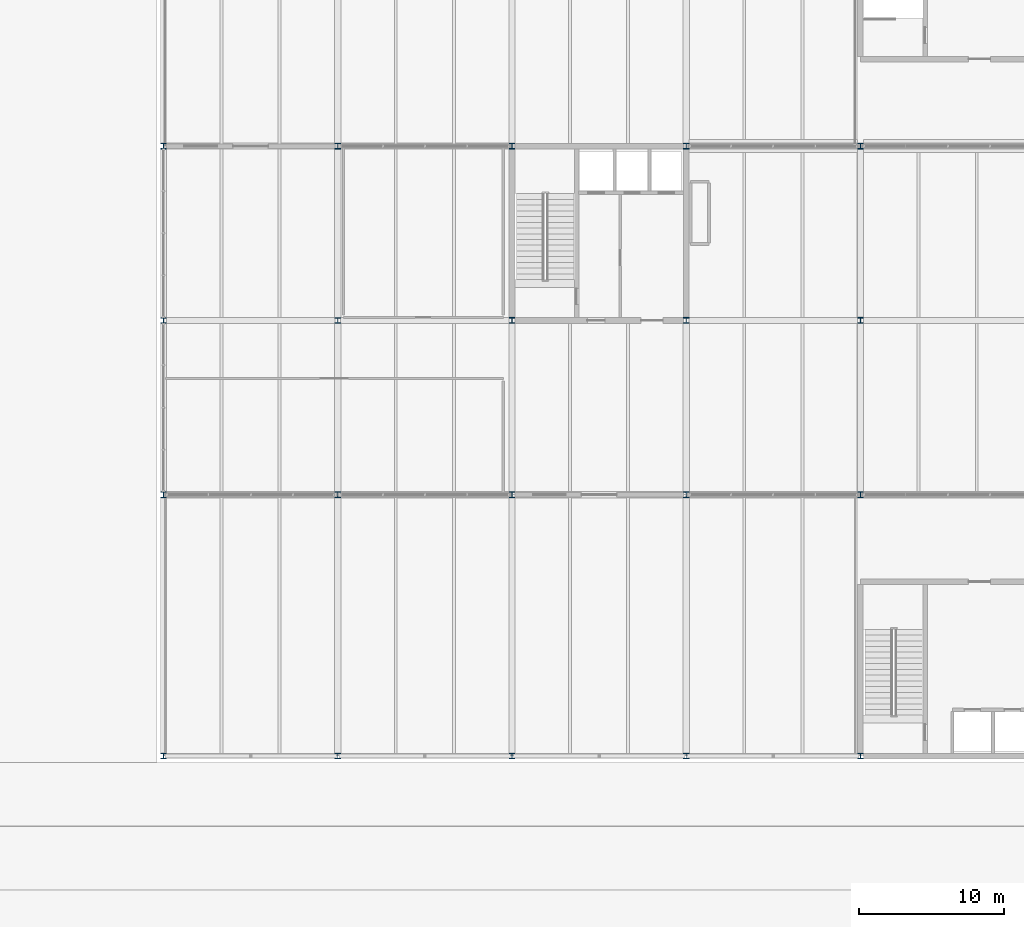
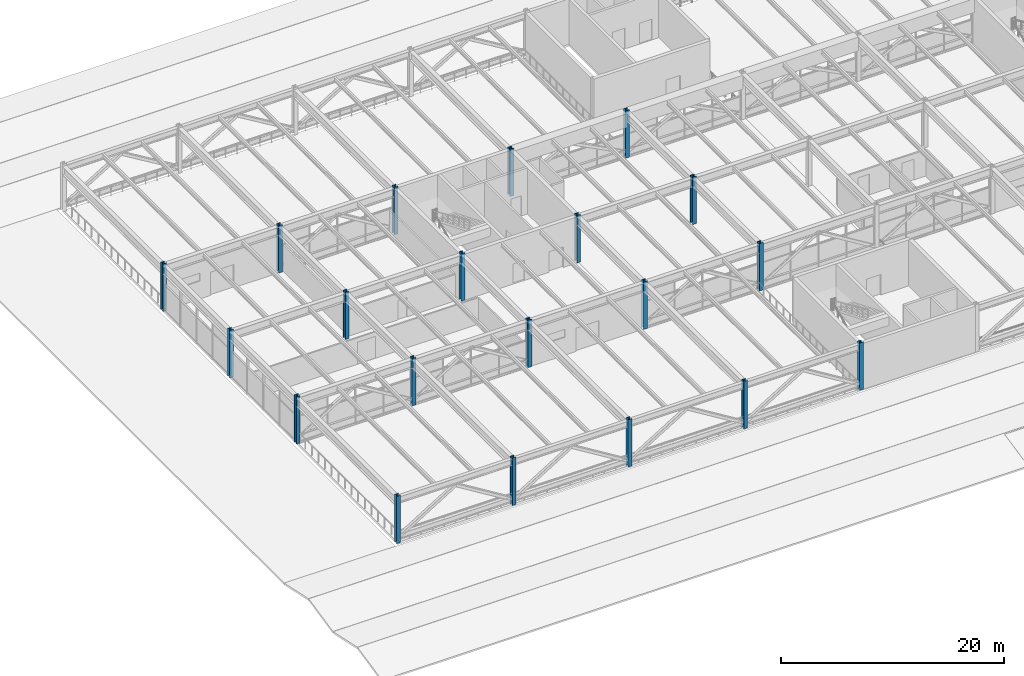
# One storey, part 1 of 42: 20 columns.
"""IFC4 building model written with IfcOpenShell, lengths in metres."""

import ifcopenshell
import ifcopenshell.guid

model = None  # the IFC model being written
_history = None  # IfcOwnerHistory: only IFC2X3 demands one
_inside = {}  # id of a spatial element -> (the spatial element, [elements in it])
_under = {}  # id of a project, library or spatial element -> (it, [spatial elements below it])
_declared = {}  # id of a project -> (the project, [libraries it declares])
_typed = {}  # id of a type object -> (the type object, [elements of that type])
_made_of = {}  # id of a material, layer set ... -> (it, [elements and type objects made of it])


def new_model(schema):
    """Start an empty IFC model of exactly this schema.

    Asked for "IFC4X3", IfcOpenShell would pick the latest addendum, in which some entities
    have other attributes; the version numbers below select the first issue.
    IFC2X3 requires an IfcOwnerHistory on every rooted entity: one is made here for all.
    """
    global model, _history
    if schema == "IFC4X3":
        model = ifcopenshell.file(schema_version=(4, 3, 0, 0))
    else:
        model = ifcopenshell.file(schema=schema)
    _inside.clear()
    _under.clear()
    _declared.clear()
    _typed.clear()
    _made_of.clear()
    _history = None
    if model.schema == "IFC2X3":
        org = make("IfcOrganization", Name="unknown")
        user = make(
            "IfcPersonAndOrganization",
            ThePerson=make("IfcPerson", FamilyName="unknown"),
            TheOrganization=org,
        )
        app = make(
            "IfcApplication",
            ApplicationDeveloper=org,
            Version="unknown",
            ApplicationFullName="unknown",
            ApplicationIdentifier="unknown",
        )
        _history = make(
            "IfcOwnerHistory",
            OwningUser=user,
            OwningApplication=app,
            ChangeAction="ADDED",
            CreationDate=0,
        )
    return model


def make(cls, **values):
    """One entity of the class cls with the attributes given. An attribute that is None is left unset."""
    return model.create_entity(
        cls, **{name: value for name, value in values.items() if value is not None}
    )


def rooted(cls, **values):
    """An entity with a GlobalId (a new one), such as an element, a storey or a relation."""
    return make(cls, GlobalId=ifcopenshell.guid.new(), OwnerHistory=_history, **values)


def si_unit(unit_type, name, prefix=None):
    """IfcSIUnit, for example si_unit("LENGTHUNIT", "METRE", prefix="MILLI")."""
    return make("IfcSIUnit", UnitType=unit_type, Prefix=prefix, Name=name)


def assignment(units):
    """IfcUnitAssignment: the units of a project."""
    return None if units is None else make("IfcUnitAssignment", Units=units)


def point(xyz):
    """IfcCartesianPoint."""
    return None if xyz is None else make("IfcCartesianPoint", Coordinates=xyz)


def direction(xyz):
    """IfcDirection."""
    return None if xyz is None else make("IfcDirection", DirectionRatios=xyz)


def frame(location, z_axis=None, x_axis=None):
    """IfcAxis2Placement3D, a coordinate frame: its origin and axes. An axis left out is left unset."""
    return make(
        "IfcAxis2Placement3D",
        Location=point(location),
        Axis=direction(z_axis),
        RefDirection=direction(x_axis),
    )


def frame_2d(location, x_axis=None):
    """IfcAxis2Placement2D, a coordinate frame in the plane: its origin and x axis."""
    return make(
        "IfcAxis2Placement2D", Location=point(location), RefDirection=direction(x_axis)
    )


def origin():
    """The frame at (0, 0, 0) with its axes left unset."""
    return frame((0.0, 0.0, 0.0))


def origin_2d():
    """The frame at (0, 0) in the plane with its x axis left unset."""
    return frame_2d((0.0, 0.0))


def place(relative_to, where):
    """IfcLocalPlacement: puts the frame where relative to a parent placement (None: the world)."""
    return make(
        "IfcLocalPlacement", PlacementRelTo=relative_to, RelativePlacement=where
    )


def context(
    kind, dimensions, precision=None, world=None, true_north=None, identifier=None
):
    """IfcGeometricRepresentationContext, for example the 3D "Model" context."""
    return make(
        "IfcGeometricRepresentationContext",
        ContextIdentifier=identifier,
        ContextType=kind,
        CoordinateSpaceDimension=dimensions,
        Precision=precision,
        WorldCoordinateSystem=world,
        TrueNorth=true_north,
    )


def subcontext(parent, identifier, kind, view, scale=None):
    """IfcGeometricRepresentationSubContext, for example "Body" below "Model"."""
    return make(
        "IfcGeometricRepresentationSubContext",
        ContextIdentifier=identifier,
        ContextType=kind,
        ParentContext=parent,
        TargetScale=scale,
        TargetView=view,
    )


def project(units=None, contexts=None):
    """IfcProject with its units and contexts."""
    return rooted(
        "IfcProject",
        Name="project",
        RepresentationContexts=contexts,
        UnitsInContext=assignment(units),
    )


def spatial(cls, under=None, at=None, **own):
    """A site, building, storey or space (cls), placed at a placement, below another one or the project."""
    s = rooted(cls, ObjectPlacement=at, **own)
    if under is not None:
        _under.setdefault(under.id(), (under, []))[1].append(s)
    return s


def profile(cls, at=None, kind="AREA", **sizes):
    """A parametric profile (cls). Its sizes go by their IFC names, for example OverallWidth=200.0."""
    return make(cls, ProfileType=kind, Position=at, **sizes)


def i_section(**sizes):
    """IfcIShapeProfileDef."""
    return profile("IfcIShapeProfileDef", **sizes)


def extrude(swept, where, along, depth):
    """IfcExtrudedAreaSolid: the profile swept, set in the frame where, extruded along a direction by depth."""
    return make(
        "IfcExtrudedAreaSolid",
        SweptArea=swept,
        Position=where,
        ExtrudedDirection=direction(along),
        Depth=depth,
    )


def shape(context_of_items, identifier, shape_type, items):
    """IfcShapeRepresentation: the items that make up one representation, for example the "Body"."""
    return make(
        "IfcShapeRepresentation",
        ContextOfItems=context_of_items,
        RepresentationIdentifier=identifier,
        RepresentationType=shape_type,
        Items=items,
    )


def material(Name=None, Category=None):
    """IfcMaterial."""
    return make("IfcMaterial", Name=Name, Category=Category)


def material_profile(
    of_material, cross_section, Name=None, Category=None, Priority=None
):
    """IfcMaterialProfile: a cross section and its material."""
    return make(
        "IfcMaterialProfile",
        Name=Name,
        Material=of_material,
        Profile=cross_section,
        Priority=Priority,
        Category=Category,
    )


def profile_set(profiles, Name=None, composite=None):
    """IfcMaterialProfileSet."""
    return make(
        "IfcMaterialProfileSet",
        Name=Name,
        MaterialProfiles=profiles,
        CompositeProfile=composite,
    )


def made_of(thing, what):
    """Note that an element or type object is made of a material, layer set ...; save() writes the relation."""
    if what is not None:
        _made_of.setdefault(what.id(), (what, []))[1].append(thing)
    return thing


def type_object(cls, material=None, **own):
    """A type object (cls), such as IfcWallType, which elements share."""
    return made_of(rooted(cls, **own), material)


def element(
    cls,
    number,
    at=None,
    inside=None,
    cuts=None,
    type_object=None,
    material=None,
    context=None,
    identifier="Body",
    shape_type=None,
    held_by="IfcProductDefinitionShape",
    body=None,
    shapes=None,
    **own,
):
    """One element of the class cls, such as IfcWall. Its Tag is "e" and its number.

    at: its placement. inside: the storey or other place that contains it. cuts: it is an
    opening in that element (IfcRelVoidsElement). A single representation is given by context,
    identifier, shape_type and body (its items); several are given by shapes. held_by: the class
    of the entity that holds the representations. save() writes the other relations.
    """
    e = rooted(cls, Tag="e%d" % number, ObjectPlacement=at, **own)
    if body is not None:
        shapes = [shape(context, identifier, shape_type, body)]
    if shapes is not None:
        e.Representation = make(held_by, Representations=shapes)
    if inside is not None:
        _inside.setdefault(inside.id(), (inside, []))[1].append(e)
    if cuts is not None:
        rooted(
            "IfcRelVoidsElement", RelatingBuildingElement=cuts, RelatedOpeningElement=e
        )
    if type_object is not None:
        _typed.setdefault(type_object.id(), (type_object, []))[1].append(e)
    return made_of(e, material)


def aggregate(whole, parts):
    """IfcRelAggregates: a whole, such as a stair, and the parts it consists of."""
    return rooted("IfcRelAggregates", RelatingObject=whole, RelatedObjects=parts)


def save(model, path):
    """Write the relations noted so far, then the file.

    IfcRelAggregates (storeys below a building ...), IfcRelContainedInSpatialStructure (elements
    in a storey), IfcRelDefinesByType, IfcRelAssociatesMaterial and IfcRelDeclares: one each for
    every whole, place, type object, material and project.
    """
    for whole, parts in _under.values():
        aggregate(whole, parts)
    for where, things in _inside.values():
        rooted(
            "IfcRelContainedInSpatialStructure",
            RelatedElements=things,
            RelatingStructure=where,
        )
    for kind, things in _typed.values():
        rooted("IfcRelDefinesByType", RelatedObjects=things, RelatingType=kind)
    for what, things in _made_of.values():
        rooted("IfcRelAssociatesMaterial", RelatedObjects=things, RelatingMaterial=what)
    for by, libraries in _declared.values():
        rooted("IfcRelDeclares", RelatingContext=by, RelatedDefinitions=libraries)
    model.write(path)


model = new_model("IFC4")

# Units and contexts
model_context = context("Model", 3, precision=1e-05, world=origin(), true_north=direction((0.0, 1.0)))
body_context = subcontext(model_context, "Body", "Model", "MODEL_VIEW")
ifc_project = project(units=[si_unit("LENGTHUNIT", "METRE"), si_unit("AREAUNIT", "SQUARE_METRE"), si_unit("VOLUMEUNIT", "CUBIC_METRE"), si_unit("PLANEANGLEUNIT", "RADIAN"), si_unit("MASSUNIT", "GRAM", prefix="KILO")], contexts=[model_context])

# Site, building, storey
site_placement = place(None, origin())
site = spatial("IfcSite", under=ifc_project, at=site_placement, CompositionType="ELEMENT")
building_placement = place(site_placement, origin())
building = spatial("IfcBuilding", under=site, at=building_placement, Name="Girod Span Mobility Hub", CompositionType="ELEMENT")
storey_placement = place(building_placement, frame((0.0, 0.0, 32.39990234375)))
storey = spatial("IfcBuildingStorey", under=building, at=storey_placement, Name="L08", CompositionType="ELEMENT", Elevation=32.39990234375)

# Columns
ifc_material_1 = material(Name="Steel A992 Grade 50", Category="steel")
ifc_material_profile_1 = material_profile(ifc_material_1, i_section(OverallWidth=0.39892578125, OverallDepth=0.39306640625, WebThickness=0.022705078125, FlangeThickness=0.03662109375, FilletRadius=0.01806640625, at=origin_2d()), Name="W14X193")
ifc_profile_set_1 = profile_set([ifc_material_profile_1], Name="Steel A992 Grade 50")
column_type_1 = type_object("IfcColumnType", Name="COL-STL-W14X193", PredefinedType="COLUMN", material=ifc_profile_set_1)
for number, where, z_axis, x_axis, name in (
    (1, (24.0, 27.0, 0.0), (0.0, 0.0, 1.0), (1.0, 0.0, 0.0), "Column 3C L08"),
    (2, (24.0, 45.0, 0.0), (0.0, 0.0, 1.0), (1.0, 0.0, 0.0), "Column 3D L08"),
    (3, (24.0, 57.0, 0.0), (0.0, 0.0, 1.0), (1.0, 0.0, 0.0), "Column 3E L08"),
    (4, (24.0, 69.0, 0.0), (0.0, 0.0, 1.0), (1.0, 0.0, 0.0), "Column 3F L08"),
    (5, (36.0, 27.0, 0.0), (0.0, 0.0, 1.0), (1.0, 0.0, 0.0), "Column 4C L08"),
    (6, (36.0, 45.0, 0.0), (0.0, 0.0, 1.0), (1.0, 0.0, 0.0), "Column 4D L08"),
    (7, (36.0, 57.0, 0.0), (0.0, 0.0, 1.0), (1.0, 0.0, 0.0), "Column 4E L08"),
    (8, (36.0, 69.0, 0.0), (0.0, 0.0, 1.0), (1.0, 0.0, 0.0), "Column 4F L08"),
    (9, (48.0, 27.0, 0.0), (0.0, 0.0, 1.0), (1.0, 0.0, 0.0), "Column 5C L08"),
    (10, (60.0, 27.0, 0.0), (0.0, 0.0, 1.0), (1.0, 0.0, 0.0), "Column 6C L08"),
    (11, (72.0, 27.0, 0.0), (0.0, 0.0, 1.0), (1.0, 0.0, 0.0), "Column 7C L08"),
):
    element("IfcColumn", number, at=place(storey_placement, frame(where, z_axis=z_axis, x_axis=x_axis)), inside=storey, type_object=column_type_1, Name=name, PredefinedType="COLUMN", context=body_context, shape_type="SweptSolid", body=[
        extrude(i_section(OverallWidth=0.39892578125, OverallDepth=0.39306640625, WebThickness=0.022705078125, FlangeThickness=0.03662109375, FilletRadius=0.01806640625, at=origin_2d()), origin(), (0.0, 0.0, 1.0), 5.2001953125),
    ])
ifc_material_2 = material(Name="Steel A992 Grade 50", Category="steel")
ifc_material_profile_2 = material_profile(ifc_material_2, i_section(OverallWidth=0.406005859375, OverallDepth=0.416015625, WebThickness=0.02978515625, FlangeThickness=0.048095703125, FilletRadius=0.01806640625, at=origin_2d()), Name="W14X257")
ifc_profile_set_2 = profile_set([ifc_material_profile_2], Name="Steel A992 Grade 50")
column_type_2 = type_object("IfcColumnType", Name="COL-STL-W14X257", PredefinedType="COLUMN", material=ifc_profile_set_2)
for number, where, z_axis, x_axis, name in (
    (12, (48.0, 45.0, 0.0), (0.0, 0.0, 1.0), (1.0, 0.0, 0.0), "Column 5D L08"),
    (13, (48.0, 57.0, 0.0), (0.0, 0.0, 1.0), (1.0, 0.0, 0.0), "Column 5E L08"),
    (14, (48.0, 69.0, 0.0), (0.0, 0.0, 1.0), (1.0, 0.0, 0.0), "Column 5F L08"),
    (15, (60.0, 45.0, 0.0), (0.0, 0.0, 1.0), (1.0, 0.0, 0.0), "Column 6D L08"),
    (16, (60.0, 57.0, 0.0), (0.0, 0.0, 1.0), (1.0, 0.0, 0.0), "Column 6E L08"),
    (17, (60.0, 69.0, 0.0), (0.0, 0.0, 1.0), (1.0, 0.0, 0.0), "Column 6F L08"),
    (18, (72.0, 45.0, 0.0), (0.0, 0.0, 1.0), (1.0, 0.0, 0.0), "Column 7D L08"),
    (19, (72.0, 57.0, 0.0), (0.0, 0.0, 1.0), (1.0, 0.0, 0.0), "Column 7E L08"),
    (20, (72.0, 69.0, 0.0), (0.0, 0.0, 1.0), (1.0, 0.0, 0.0), "Column 7F L08"),
):
    element("IfcColumn", number, at=place(storey_placement, frame(where, z_axis=z_axis, x_axis=x_axis)), inside=storey, type_object=column_type_2, Name=name, PredefinedType="COLUMN", context=body_context, shape_type="SweptSolid", body=[
        extrude(i_section(OverallWidth=0.406005859375, OverallDepth=0.416015625, WebThickness=0.02978515625, FlangeThickness=0.048095703125, FilletRadius=0.01806640625, at=origin_2d()), origin(), (0.0, 0.0, 1.0), 5.2001953125),
    ])

save(model, "model.ifc")
